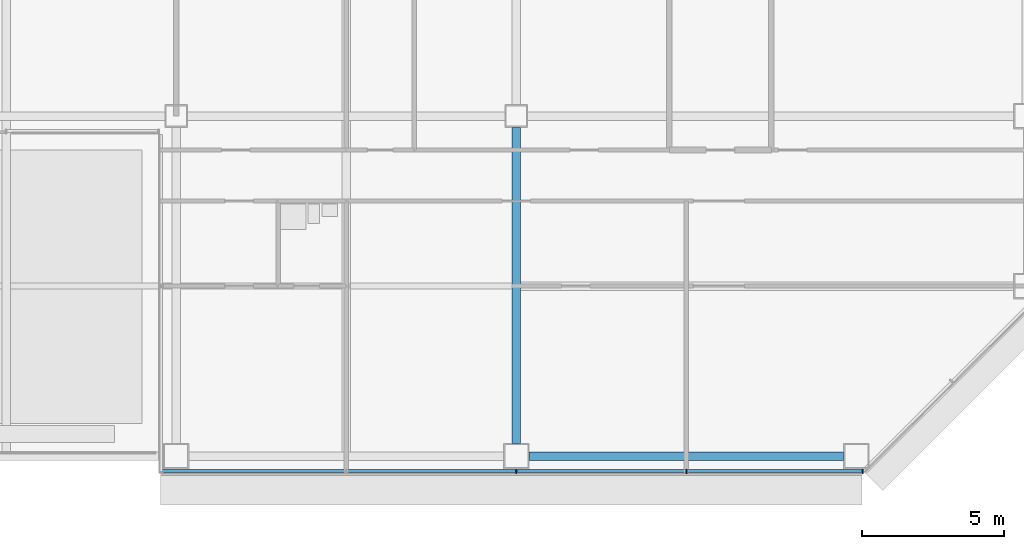
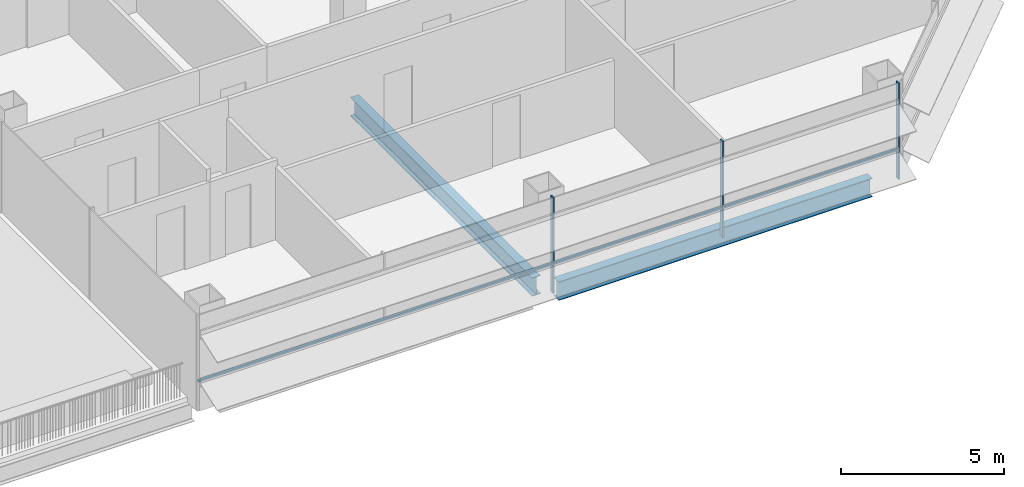
# One storey, part 9 of 27: 4 members, 2 beams, 1 element without a shape of its own.
"""IFC4 building model written with IfcOpenShell, lengths in metres."""

from ifc_helpers import new_model, si_unit, direction, frame, origin, origin_2d, place, context, subcontext, project, spatial, rectangle, i_section, extrude, material, material_profile, profile_set, type_object, element, aggregate, save


model = new_model("IFC4")

# Units and contexts
model_context = context("Model", 3, precision=1e-05, world=origin(), true_north=direction((0.0, 1.0)))
body_context = subcontext(model_context, "Body", "Model", "MODEL_VIEW")
ifc_project = project(units=[si_unit("LENGTHUNIT", "METRE"), si_unit("AREAUNIT", "SQUARE_METRE"), si_unit("VOLUMEUNIT", "CUBIC_METRE"), si_unit("PLANEANGLEUNIT", "RADIAN"), si_unit("MASSUNIT", "GRAM", prefix="KILO")], contexts=[model_context])

# Site, building, storey
site_placement = place(None, origin())
site = spatial("IfcSite", under=ifc_project, at=site_placement, CompositionType="ELEMENT")
building_placement = place(site_placement, origin())
building = spatial("IfcBuilding", under=site, at=building_placement, Name="Sorahane Residences", CompositionType="ELEMENT")
storey_placement = place(building_placement, frame((0.0, 0.0, 82.199951171875)))
storey = spatial("IfcBuildingStorey", under=building, at=storey_placement, Name="L17", CompositionType="ELEMENT", Elevation=82.199951171875)

# Curtain wall, members
ifc_material_1 = material(Name="Dark low-e glass and black anodised aluminium", Category="aluminium")
curtain_wall_type = type_object("IfcCurtainWallType", Name="Curtain wall CW-1 Typical unitised wall", PredefinedType="NOTDEFINED", material=ifc_material_1)
curtain_wall_placement = place(storey_placement, origin())
curtain_wall = element("IfcCurtainWall", 1, at=curtain_wall_placement, inside=storey, type_object=curtain_wall_type, Name="CW-1 curtain wall L17 S3", PredefinedType="NOTDEFINED")
ifc_material_2 = material(Name="Black anodised aluminium", Category="aluminium")
ifc_material_profile_1 = material_profile(ifc_material_2, rectangle(XDim=0.159912109375, YDim=0.050048828125, at=origin_2d()), Name="Curtain wall mullion CW-1 black anodised aluminium 50x160")
ifc_profile_set_1 = profile_set([ifc_material_profile_1], Name="Black anodised aluminium")
member_type_1 = type_object("IfcMemberType", Name="Curtain wall mullion CW-1 black anodised aluminium 50x160", PredefinedType="MULLION", material=ifc_profile_set_1)
member_1_placement = place(storey_placement, frame((48.0, -0.5400390625, -0.179931640625), z_axis=(0.0, 0.0, 1.0), x_axis=(0.0, -1.0, 0.0)))
member_1 = element("IfcMember", 2, at=member_1_placement, type_object=member_type_1, Name="CW-1 mullion L17 S3.3", PredefinedType="MULLION", context=body_context, shape_type="SweptSolid", body=[
    extrude(rectangle(XDim=0.159912109375, YDim=0.050048828125, at=origin_2d()), origin(), (0.0, 0.0, 1.0), 3.60009765625),
])
member_2_placement = place(storey_placement, frame((54.0, -0.5400390625, -0.179931640625), z_axis=(0.0, 0.0, 1.0), x_axis=(0.0, -1.0, 0.0)))
member_2 = element("IfcMember", 3, at=member_2_placement, type_object=member_type_1, Name="CW-1 mullion L17 S3.4", PredefinedType="MULLION", context=body_context, shape_type="SweptSolid", body=[
    extrude(rectangle(XDim=0.159912109375, YDim=0.050048828125, at=origin_2d()), origin(), (0.0, 0.0, 1.0), 3.60009765625),
])
member_3_placement = place(storey_placement, frame((60.2236328125, -0.5400390625, -0.179931640625), z_axis=(0.0, 0.0, 1.0), x_axis=(0.0, -1.0, 0.0)))
member_3 = element("IfcMember", 4, at=member_3_placement, type_object=member_type_1, Name="CW-1 mullion L17 S3.5", PredefinedType="MULLION", context=body_context, shape_type="SweptSolid", body=[
    extrude(rectangle(XDim=0.159912109375, YDim=0.050048828125, at=origin_2d()), origin(), (0.0, 0.0, 1.0), 3.60009765625),
])
ifc_material_3 = material(Name="Black anodised aluminium", Category="aluminium")
ifc_material_profile_2 = material_profile(ifc_material_3, rectangle(XDim=0.10009765625, YDim=0.06005859375, at=origin_2d()), Name="Curtain wall transom CW-1 black anodised aluminium 60x100")
ifc_profile_set_2 = profile_set([ifc_material_profile_2], Name="Black anodised aluminium")
member_type_2 = type_object("IfcMemberType", Name="Curtain wall transom CW-1 black anodised aluminium 60x100", PredefinedType="USERDEFINED", material=ifc_profile_set_2)
member_4_placement = place(storey_placement, frame((35.449951171875, -0.530029296875, 0.900146484375), z_axis=(1.0, 0.0, 0.0), x_axis=(0.0, 1.0, 0.0)))
member_4 = element("IfcMember", 5, at=member_4_placement, type_object=member_type_2, Name="CW-1 transom L17 S3", ObjectType="TRANSOM", PredefinedType="USERDEFINED", context=body_context, shape_type="SweptSolid", body=[
    extrude(rectangle(XDim=0.10009765625, YDim=0.06005859375, at=origin_2d()), origin(), (0.0, 0.0, 1.0), 24.74853515625),
])
aggregate(curtain_wall, [member_1, member_2, member_3, member_4])

# Beams
ifc_material_4 = material(Name="Steel Q355B", Category="steel")
ifc_material_profile_3 = material_profile(ifc_material_4, i_section(OverallWidth=0.300048828125, OverallDepth=0.699951171875, WebThickness=0.012939453125, FlangeThickness=0.02392578125, FilletRadius=0.028076171875, at=origin_2d()), Name="HN 700x300x13x24")
ifc_profile_set_3 = profile_set([ifc_material_profile_3], Name="Steel Q355B")
beam_type = type_object("IfcBeamType", Name="Steel floor beam HN 700x300x13x24 Q355B", PredefinedType="BEAM", material=ifc_profile_set_3)
beam_1_placement = place(storey_placement, frame((48.449951171875, 0.0, -0.530029296875), z_axis=(1.0, 0.0, 0.0), x_axis=(0.0, 1.0, 0.0)))
element("IfcBeam", 6, at=beam_1_placement, inside=storey, type_object=beam_type, Name="Beam L17 004", PredefinedType="BEAM", context=body_context, shape_type="SweptSolid", body=[
    extrude(i_section(OverallWidth=0.300048828125, OverallDepth=0.699951171875, WebThickness=0.012939453125, FlangeThickness=0.02392578125, FilletRadius=0.028076171875, at=origin_2d()), origin(), (0.0, 0.0, 1.0), 11.10009765625),
])
beam_2_placement = place(storey_placement, frame((48.0, 0.449951171875, -0.530029296875), z_axis=(0.0, 1.0, 0.0), x_axis=(-1.0, 0.0, 0.0)))
element("IfcBeam", 7, at=beam_2_placement, inside=storey, type_object=beam_type, Name="Beam L17 050", PredefinedType="BEAM", context=body_context, shape_type="SweptSolid", body=[
    extrude(i_section(OverallWidth=0.300048828125, OverallDepth=0.699951171875, WebThickness=0.012939453125, FlangeThickness=0.02392578125, FilletRadius=0.028076171875, at=origin_2d()), origin(), (0.0, 0.0, 1.0), 11.150146484375),
])

save(model, "model.ifc")
